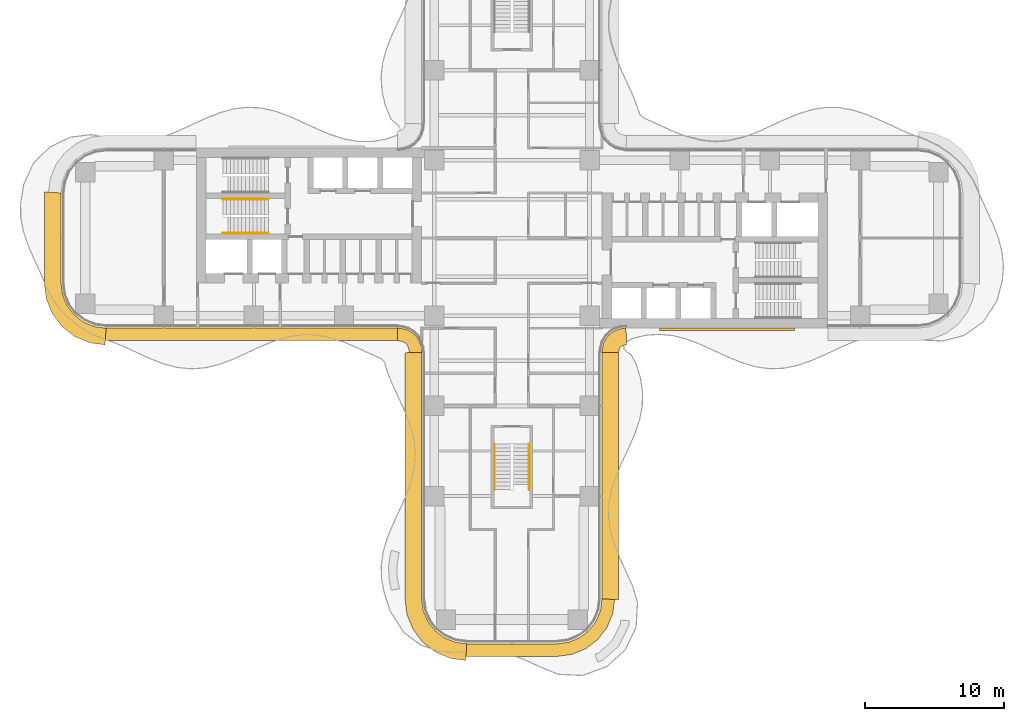
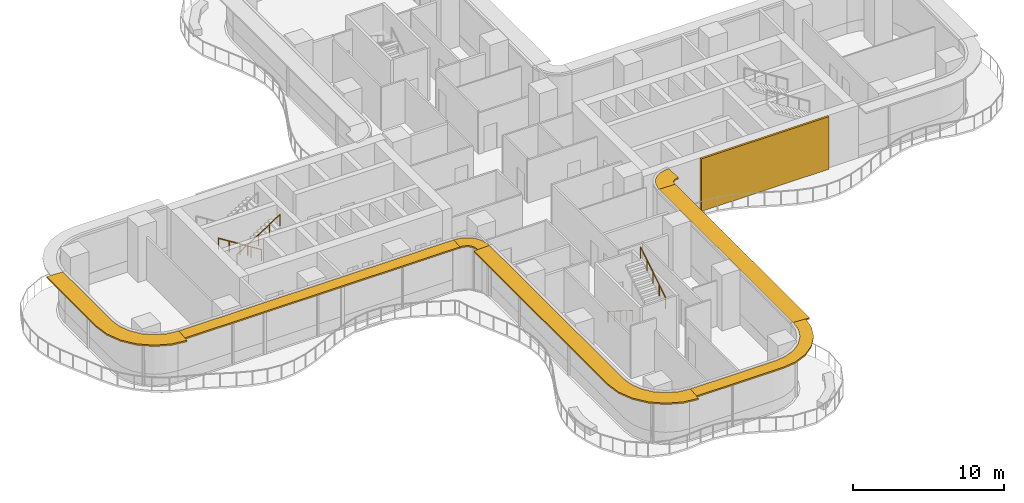
# One storey, part 21 of 22: 7 shading devices, 4 railings, 1 covering.
"""IFC4 building model written with IfcOpenShell, lengths in metres."""

from ifc_helpers import new_model, si_unit, direction, frame, origin, origin_2d, place, context, subcontext, project, spatial, polyline, circle, outline, extrude, source, transform, mapped, material, layer, layer_set, type_object, element, save


model = new_model("IFC4")

# Units and contexts
model_context = context("Model", 3, precision=1e-05, world=origin(), true_north=direction((0.0, 1.0)))
body_context = subcontext(model_context, "Body", "Model", "MODEL_VIEW")
ifc_project = project(units=[si_unit("LENGTHUNIT", "METRE"), si_unit("AREAUNIT", "SQUARE_METRE"), si_unit("VOLUMEUNIT", "CUBIC_METRE"), si_unit("PLANEANGLEUNIT", "RADIAN"), si_unit("MASSUNIT", "GRAM", prefix="KILO")], contexts=[model_context])

# Site, building, storey
site_placement = place(None, origin())
site = spatial("IfcSite", under=ifc_project, at=site_placement, CompositionType="ELEMENT")
building_placement = place(site_placement, origin())
building = spatial("IfcBuilding", under=site, at=building_placement, Name="Trellis Farm Tower", CompositionType="ELEMENT")
storey_placement = place(building_placement, frame((0.0, 0.0, 47.5)))
storey = spatial("IfcBuildingStorey", under=building, at=storey_placement, Name="L09", CompositionType="ELEMENT", Elevation=47.5)

# Railings
ifc_material_1 = material(Name="Stainless steel", Category="steel")
railing_type = type_object("IfcRailingType", Name="STAIR HANDRAIL 900", PredefinedType="HANDRAIL", material=ifc_material_1)
shared_shape_1 = source(origin(), body_context, "Body", "SweptSolid", [
    extrude(circle(Radius=0.02392578125, at=origin_2d()), frame((0.0, 0.0, 0.8759765625), z_axis=(0.0, 0.846319618018, 0.532675421018), x_axis=(-1.0, 0.0, 0.0)), (0.0, 0.0, 1.0), 3.89892578125),
    extrude(circle(Radius=0.02099609375, at=origin_2d()), origin(), (0.0, 0.0, 1.0), 0.851806640625),
    extrude(circle(Radius=0.02099609375, at=origin_2d()), frame((0.0, 0.824951171875, 0.519287109375)), (0.0, 0.0, 1.0), 0.851806640625),
    extrude(circle(Radius=0.02099609375, at=origin_2d()), frame((0.0, 1.64990234375, 1.03857421875)), (0.0, 0.0, 1.0), 0.851806640625),
    extrude(circle(Radius=0.02099609375, at=origin_2d()), frame((0.0, 2.474853515625, 1.5576171875)), (0.0, 0.0, 1.0), 0.851806640625),
    extrude(circle(Radius=0.02099609375, at=origin_2d()), frame((0.0, 3.2998046875, 2.076904296875)), (0.0, 0.0, 1.0), 0.851806640625),
])
railing_1_placement = place(storey_placement, frame((1.25, -18.14990234375, 2.423095703125)))
element("IfcRailing", 1, at=railing_1_placement, inside=storey, type_object=railing_type, Name="Stair handrail", PredefinedType="HANDRAIL", context=body_context, shape_type="MappedRepresentation", body=[
    mapped(shared_shape_1, transform((0.0, 0.0, 0.0))),
])
shared_shape_2 = source(origin(), body_context, "Body", "SweptSolid", [
    extrude(circle(Radius=0.02392578125, at=origin_2d()), frame((0.0, 0.0, 0.8759765625), z_axis=(0.0, -0.846319618018, 0.532675421018), x_axis=(1.0, 0.0, 0.0)), (0.0, 0.0, 1.0), 3.89892578125),
    extrude(circle(Radius=0.02099609375, at=origin_2d()), origin(), (0.0, 0.0, 1.0), 0.851806640625),
    extrude(circle(Radius=0.02099609375, at=origin_2d()), frame((0.0, -0.824951171875, 0.519287109375)), (0.0, 0.0, 1.0), 0.851806640625),
    extrude(circle(Radius=0.02099609375, at=origin_2d()), frame((0.0, -1.64990234375, 1.03857421875)), (0.0, 0.0, 1.0), 0.851806640625),
    extrude(circle(Radius=0.02099609375, at=origin_2d()), frame((0.0, -2.474853515625, 1.5576171875)), (0.0, 0.0, 1.0), 0.851806640625),
    extrude(circle(Radius=0.02099609375, at=origin_2d()), frame((0.0, -3.2998046875, 2.076904296875)), (0.0, 0.0, 1.0), 0.851806640625),
])
railing_2_placement = place(storey_placement, frame((-1.25, -14.85009765625, 0.173095703125)))
element("IfcRailing", 2, at=railing_2_placement, inside=storey, type_object=railing_type, Name="Stair handrail", PredefinedType="HANDRAIL", context=body_context, shape_type="MappedRepresentation", body=[
    mapped(shared_shape_2, transform((0.0, 0.0, 0.0))),
])
shared_shape_3 = source(origin(), body_context, "Body", "SweptSolid", [
    extrude(circle(Radius=0.02392578125, at=origin_2d()), frame((0.0, 0.0, 0.8759765625), z_axis=(0.846337383501, 0.0, 0.532647194011), x_axis=(0.0, 1.0, 0.0)), (0.0, 0.0, 1.0), 3.899169921875),
    extrude(circle(Radius=0.02099609375, at=origin_2d()), origin(), (0.0, 0.0, 1.0), 0.851806640625),
    extrude(circle(Radius=0.02099609375, at=origin_2d()), frame((0.824951171875, 0.0, 0.519287109375)), (0.0, 0.0, 1.0), 0.851806640625),
    extrude(circle(Radius=0.02099609375, at=origin_2d()), frame((1.64990234375, 0.0, 1.03857421875)), (0.0, 0.0, 1.0), 0.851806640625),
    extrude(circle(Radius=0.02099609375, at=origin_2d()), frame((2.47509765625, 0.0, 1.5576171875)), (0.0, 0.0, 1.0), 0.851806640625),
    extrude(circle(Radius=0.02099609375, at=origin_2d()), frame((3.300048828125, 0.0, 2.076904296875)), (0.0, 0.0, 1.0), 0.851806640625),
])
railing_3_placement = place(storey_placement, frame((-20.85009765625, 0.35009765625, 2.423095703125)))
element("IfcRailing", 3, at=railing_3_placement, inside=storey, type_object=railing_type, Name="Stair handrail", PredefinedType="HANDRAIL", context=body_context, shape_type="MappedRepresentation", body=[
    mapped(shared_shape_3, transform((0.0, 0.0, 0.0))),
])
shared_shape_4 = source(origin(), body_context, "Body", "SweptSolid", [
    extrude(circle(Radius=0.02392578125, at=origin_2d()), frame((0.0, 0.0, 0.8759765625), z_axis=(-0.846337383501, 0.0, 0.532647194011), x_axis=(0.0, -1.0, 0.0)), (0.0, 0.0, 1.0), 3.899169921875),
    extrude(circle(Radius=0.02099609375, at=origin_2d()), origin(), (0.0, 0.0, 1.0), 0.851806640625),
    extrude(circle(Radius=0.02099609375, at=origin_2d()), frame((-0.824951171875, 0.0, 0.519287109375)), (0.0, 0.0, 1.0), 0.851806640625),
    extrude(circle(Radius=0.02099609375, at=origin_2d()), frame((-1.64990234375, 0.0, 1.03857421875)), (0.0, 0.0, 1.0), 0.851806640625),
    extrude(circle(Radius=0.02099609375, at=origin_2d()), frame((-2.47509765625, 0.0, 1.5576171875)), (0.0, 0.0, 1.0), 0.851806640625),
    extrude(circle(Radius=0.02099609375, at=origin_2d()), frame((-3.300048828125, 0.0, 2.076904296875)), (0.0, 0.0, 1.0), 0.851806640625),
])
railing_4_placement = place(storey_placement, frame((-17.550048828125, 2.800048828125, 0.173095703125)))
element("IfcRailing", 4, at=railing_4_placement, inside=storey, type_object=railing_type, Name="Stair handrail", PredefinedType="HANDRAIL", context=body_context, shape_type="MappedRepresentation", body=[
    mapped(shared_shape_4, transform((0.0, 0.0, 0.0))),
])

# Shading devices
ifc_material_2 = material(Name="Aluminium extrusion 6063-T6", Category="aluminium")
ifc_layer_1 = layer(ifc_material_2, 0.1201171875)
ifc_layer_set_1 = layer_set([ifc_layer_1], Name="SUNSHADE BLADE 900")
shading_device_type_1 = type_object("IfcShadingDeviceType", Name="SUNSHADE BLADE 900", PredefinedType="USERDEFINED", material=ifc_layer_set_1)
shared_shape_5 = source(origin(), body_context, "Body", "SweptSolid", [
    extrude(outline(polyline([(-29.30908203125, -7.39990234375), (-8.2607421875, -7.39990234375), (-8.2314453125, -6.5), (-29.25, -6.5), (-29.30908203125, -7.39990234375)])), origin(), (0.0, 0.0, 1.0), 0.119873046875),
])
placement = place(storey_placement, frame((0.0, 0.0, 4.090087890625)))
element("IfcShadingDevice", 5, at=placement, inside=storey, type_object=shading_device_type_1, Name="SD1 001", ObjectType="SUNSHADE", PredefinedType="USERDEFINED", context=body_context, shape_type="MappedRepresentation", body=[
    mapped(shared_shape_5, transform((0.0, 0.0, 0.0))),
])
shared_shape_6 = source(origin(), body_context, "Body", "SweptSolid", [
    extrude(outline(polyline([(-8.2607421875, -7.39990234375), (-8.107666015625, -7.409912109375), (-8.091552734375, -7.412109375), (-7.85595703125, -7.475341796875), (-7.697021484375, -7.567138671875), (-7.567138671875, -7.697021484375), (-7.475341796875, -7.85595703125), (-7.412109375, -8.091552734375), (-7.409912109375, -8.107666015625), (-7.39990234375, -8.2607421875), (-6.5, -8.2314453125), (-6.513916015625, -8.01953125), (-6.527587890625, -7.91552734375), (-6.63671875, -7.508544921875), (-6.846923828125, -7.144287109375), (-7.144287109375, -6.846923828125), (-7.508544921875, -6.63671875), (-7.91552734375, -6.527587890625), (-8.01953125, -6.513916015625), (-8.2314453125, -6.5), (-8.2607421875, -7.39990234375)])), origin(), (0.0, 0.0, 1.0), 0.119873046875),
])
element("IfcShadingDevice", 6, at=placement, inside=storey, type_object=shading_device_type_1, Name="SD1 002", ObjectType="SUNSHADE", PredefinedType="USERDEFINED", context=body_context, shape_type="MappedRepresentation", body=[
    mapped(shared_shape_6, transform((0.0, 0.0, 0.0))),
])
ifc_layer_2 = layer(ifc_material_2, 0.1201171875)
ifc_layer_set_2 = layer_set([ifc_layer_2], Name="SUNSHADE BLADE 1200")
shading_device_type_2 = type_object("IfcShadingDeviceType", Name="SUNSHADE BLADE 1200", PredefinedType="USERDEFINED", material=ifc_layer_set_2)
shared_shape_7 = source(origin(), body_context, "Body", "SweptSolid", [
    extrude(outline(polyline([(-7.699951171875, -8.270751953125), (-7.699951171875, -26.07861328125), (-7.558349609375, -27.154541015625), (-7.11279296875, -28.230224609375), (-6.404052734375, -29.154052734375), (-5.480224609375, -29.86279296875), (-4.404541015625, -30.308349609375), (-3.32861328125, -30.449951171875), (-3.25, -29.25), (-4.091064453125, -29.13916015625), (-4.875, -28.814697265625), (-5.548095703125, -28.298095703125), (-6.064697265625, -27.625), (-6.38916015625, -26.841064453125), (-6.5, -26.0), (-6.5, -8.2314453125), (-7.699951171875, -8.270751953125)])), origin(), (0.0, 0.0, 1.0), 0.119873046875),
])
element("IfcShadingDevice", 7, at=placement, inside=storey, type_object=shading_device_type_2, Name="SD2 003", ObjectType="SUNSHADE", PredefinedType="USERDEFINED", context=body_context, shape_type="MappedRepresentation", body=[
    mapped(shared_shape_7, transform((0.0, 0.0, 0.0))),
])
shared_shape_8 = source(origin(), body_context, "Body", "SweptSolid", [
    extrude(outline(polyline([(-3.30908203125, -30.14990234375), (3.30908203125, -30.14990234375), (4.326171875, -30.01611328125), (5.328857421875, -29.600830078125), (6.18994140625, -28.93994140625), (6.850830078125, -28.078857421875), (7.26611328125, -27.076171875), (7.39990234375, -26.05908203125), (6.5, -26.0), (6.38916015625, -26.841064453125), (6.064697265625, -27.625), (5.548095703125, -28.298095703125), (4.875, -28.814697265625), (4.091064453125, -29.13916015625), (3.25, -29.25), (-3.25, -29.25), (-3.30908203125, -30.14990234375)])), origin(), (0.0, 0.0, 1.0), 0.119873046875),
])
element("IfcShadingDevice", 8, at=placement, inside=storey, type_object=shading_device_type_1, Name="SD1 004", ObjectType="SUNSHADE", PredefinedType="USERDEFINED", context=body_context, shape_type="MappedRepresentation", body=[
    mapped(shared_shape_8, transform((0.0, 0.0, 0.0))),
])
shared_shape_9 = source(origin(), body_context, "Body", "SweptSolid", [
    extrude(outline(polyline([(7.699951171875, -26.07861328125), (7.699951171875, -8.270751953125), (6.5, -8.2314453125), (6.5, -26.0), (7.699951171875, -26.07861328125)])), origin(), (0.0, 0.0, 1.0), 0.119873046875),
])
element("IfcShadingDevice", 9, at=placement, inside=storey, type_object=shading_device_type_2, Name="SD2 005", ObjectType="SUNSHADE", PredefinedType="USERDEFINED", context=body_context, shape_type="MappedRepresentation", body=[
    mapped(shared_shape_9, transform((0.0, 0.0, 0.0))),
])
shared_shape_10 = source(origin(), body_context, "Body", "SweptSolid", [
    extrude(outline(polyline([(7.699951171875, -8.270751953125), (7.708740234375, -8.13720703125), (7.70703125, -8.150146484375), (7.7548828125, -7.9716796875), (7.80712890625, -7.881103515625), (7.881103515625, -7.80712890625), (7.9716796875, -7.7548828125), (8.150146484375, -7.70703125), (8.13720703125, -7.708740234375), (8.270751953125, -7.699951171875), (8.2314453125, -6.5), (8.01953125, -6.513916015625), (7.91552734375, -6.527587890625), (7.508544921875, -6.63671875), (7.144287109375, -6.846923828125), (6.846923828125, -7.144287109375), (6.63671875, -7.508544921875), (6.527587890625, -7.91552734375), (6.513916015625, -8.01953125), (6.5, -8.2314453125), (7.699951171875, -8.270751953125)])), origin(), (0.0, 0.0, 1.0), 0.119873046875),
])
element("IfcShadingDevice", 10, at=placement, inside=storey, type_object=shading_device_type_2, Name="SD2 006", ObjectType="SUNSHADE", PredefinedType="USERDEFINED", context=body_context, shape_type="MappedRepresentation", body=[
    mapped(shared_shape_10, transform((0.0, 0.0, 0.0))),
])
shared_shape_11 = source(origin(), body_context, "Body", "SweptSolid", [
    extrude(outline(polyline([(-33.699951171875, 3.32861328125), (-33.699951171875, -3.32861328125), (-33.558349609375, -4.404541015625), (-33.11279296875, -5.480224609375), (-32.404052734375, -6.404052734375), (-31.480224609375, -7.11279296875), (-30.404541015625, -7.558349609375), (-29.32861328125, -7.699951171875), (-29.25, -6.5), (-30.091064453125, -6.38916015625), (-30.875, -6.064697265625), (-31.548095703125, -5.548095703125), (-32.064697265625, -4.875), (-32.38916015625, -4.091064453125), (-32.5, -3.25), (-32.5, 3.25), (-33.699951171875, 3.32861328125)])), origin(), (0.0, 0.0, 1.0), 0.119873046875),
])
element("IfcShadingDevice", 11, at=placement, inside=storey, type_object=shading_device_type_2, Name="SD2 016", ObjectType="SUNSHADE", PredefinedType="USERDEFINED", context=body_context, shape_type="MappedRepresentation", body=[
    mapped(shared_shape_11, transform((0.0, 0.0, 0.0))),
])

# Covering
ifc_material_3 = material(Name="Perforated precast screen (cobogo)", Category="concrete")
ifc_layer_3 = layer(ifc_material_3, 0.14990234375)
ifc_layer_set_3 = layer_set([ifc_layer_3], Name="COBOGO SCREEN PANEL")
covering_type = type_object("IfcCoveringType", Name="COBOGO SCREEN PANEL", PredefinedType="USERDEFINED", material=ifc_layer_set_3)
shared_shape_12 = source(origin(), body_context, "Body", "SweptSolid", [
    extrude(outline(polyline([(10.630615234375, -6.64990234375), (20.380615234375, -6.64990234375), (20.380615234375, -6.5), (10.630615234375, -6.5), (10.630615234375, -6.64990234375)])), origin(), (0.0, 0.0, 1.0), 4.25),
])
covering_placement = place(storey_placement, origin())
element("IfcCovering", 12, at=covering_placement, inside=storey, type_object=covering_type, Name="SC1 01", ObjectType="SCREEN", PredefinedType="USERDEFINED", context=body_context, shape_type="MappedRepresentation", body=[
    mapped(shared_shape_12, transform((0.0, 0.0, 0.0))),
])

save(model, "model.ifc")
